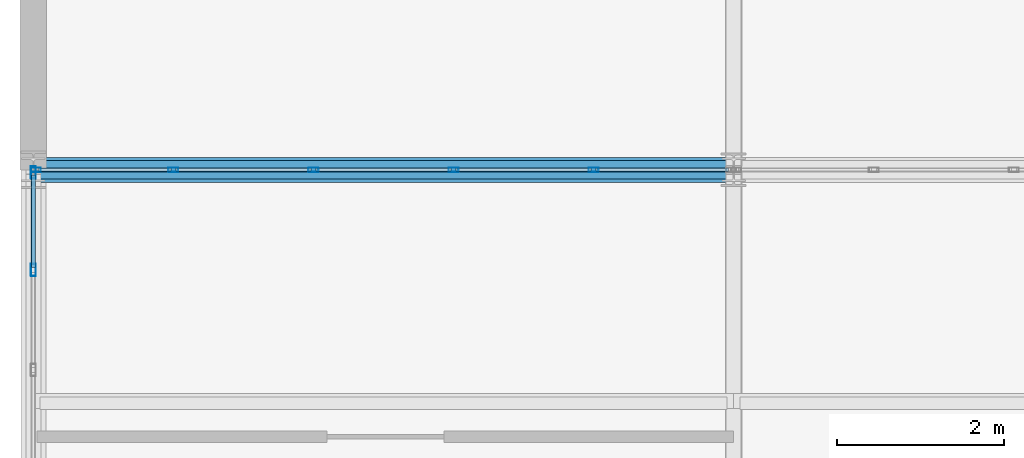
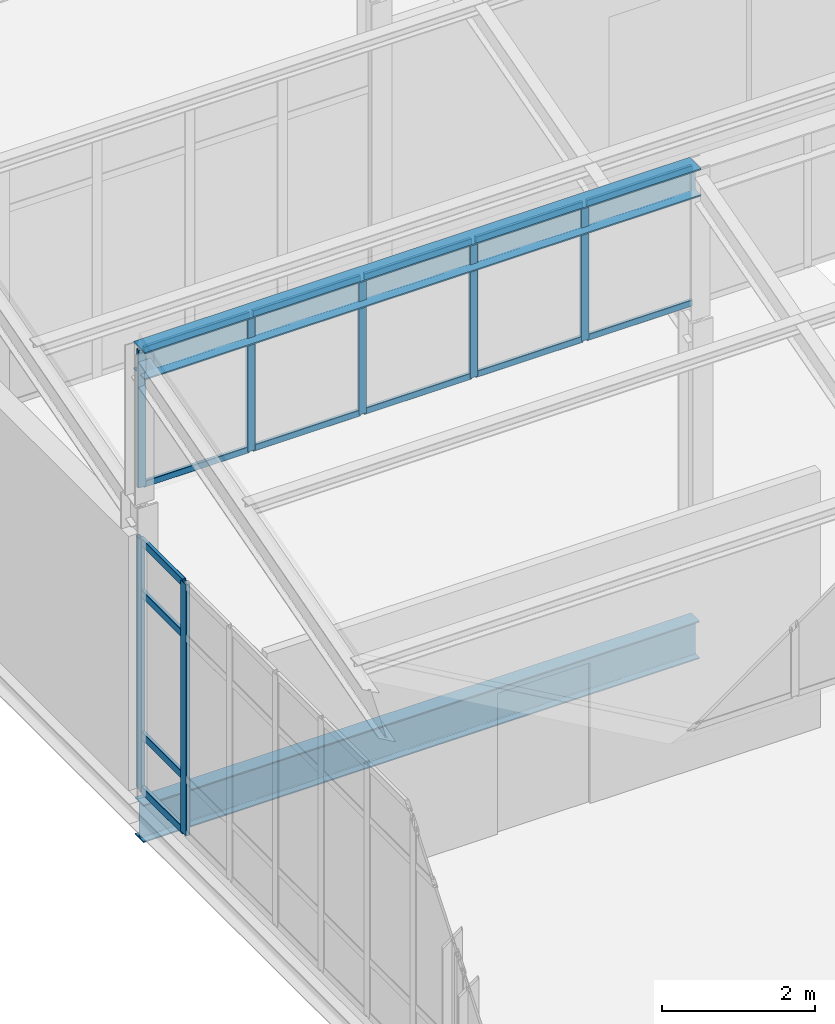
# One storey, part 18 of 53: 21 members, 2 beams, 2 elements without a shape of their own.
"""IFC4 building model written with IfcOpenShell, lengths in metres."""

from ifc_helpers import new_model, si_unit, direction, frame, origin, origin_2d, place, context, subcontext, project, spatial, hollow_rectangle, i_section, extrude, material, layer, layer_set, material_profile, profile_set, type_object, element, aggregate, save


model = new_model("IFC4")

# Units and contexts
model_context = context("Model", 3, precision=1e-05, world=origin(), true_north=direction((0.0, 1.0)))
body_context = subcontext(model_context, "Body", "Model", "MODEL_VIEW")
ifc_project = project(units=[si_unit("LENGTHUNIT", "METRE"), si_unit("AREAUNIT", "SQUARE_METRE"), si_unit("VOLUMEUNIT", "CUBIC_METRE"), si_unit("PLANEANGLEUNIT", "RADIAN"), si_unit("MASSUNIT", "GRAM", prefix="KILO")], contexts=[model_context])

# Site, building, storey
site_placement = place(None, origin())
site = spatial("IfcSite", under=ifc_project, at=site_placement, CompositionType="ELEMENT")
building_placement = place(site_placement, origin())
building = spatial("IfcBuilding", under=site, at=building_placement, Name="Qalvenar Corner Mobility Hub", CompositionType="ELEMENT")
storey_placement = place(building_placement, frame((0.0, 0.0, 26.39990234375)))
storey = spatial("IfcBuildingStorey", under=building, at=storey_placement, Name="L06", CompositionType="ELEMENT", Elevation=26.39990234375)

# Beams
ifc_material_1 = material(Name="Steel S355", Category="steel")
ifc_material_profile_1 = material_profile(ifc_material_1, i_section(OverallWidth=0.300048828125, OverallDepth=0.43994140625, WebThickness=0.011474609375, FlangeThickness=0.02099609375, FilletRadius=0.027099609375, at=origin_2d()), Name="HEA450")
ifc_profile_set_1 = profile_set([ifc_material_profile_1], Name="Steel S355")
beam_type_1 = type_object("IfcBeamType", Name="BM-HEA450", PredefinedType="BEAM", material=ifc_profile_set_1)
beam_1_placement = place(storey_placement, frame((0.0, 25.199951171875, 6.81005859375), z_axis=(1.0, 0.0, 0.0), x_axis=(0.0, 1.0, 0.0)))
element("IfcBeam", 1, at=beam_1_placement, inside=storey, type_object=beam_type_1, Name="Sawtooth Ridge Girder V3RDG-3-1", PredefinedType="BEAM", context=body_context, shape_type="SweptSolid", body=[
    extrude(i_section(OverallWidth=0.300048828125, OverallDepth=0.43994140625, WebThickness=0.011474609375, FlangeThickness=0.02099609375, FilletRadius=0.027099609375, at=origin_2d()), origin(), (0.0, 0.0, 1.0), 8.39990234375),
])
ifc_material_profile_2 = material_profile(ifc_material_1, i_section(OverallWidth=0.219970703125, OverallDepth=0.60009765625, WebThickness=0.011962890625, FlangeThickness=0.01904296875, FilletRadius=0.02392578125, at=origin_2d()), Name="IPE600")
ifc_profile_set_2 = profile_set([ifc_material_profile_2], Name="Steel S355")
beam_type_2 = type_object("IfcBeamType", Name="BM-IPE600", PredefinedType="BEAM", material=ifc_profile_set_2)
beam_2_placement = place(storey_placement, frame((0.0, 25.199951171875, -0.52001953125), z_axis=(1.0, 0.0, 0.0), x_axis=(0.0, 1.0, 0.0)))
element("IfcBeam", 2, at=beam_2_placement, inside=storey, type_object=beam_type_2, Name="Primary Steel Girder GX-3067", PredefinedType="BEAM", context=body_context, shape_type="SweptSolid", body=[
    extrude(i_section(OverallWidth=0.219970703125, OverallDepth=0.60009765625, WebThickness=0.011962890625, FlangeThickness=0.01904296875, FilletRadius=0.02392578125, at=origin_2d()), origin(), (0.0, 0.0, 1.0), 8.39990234375),
])

# Curtain wall, members
ifc_material_2 = material(Name="Anodised Aluminium and Low-E Glazing", Category="aluminium")
ifc_layer_1 = layer(ifc_material_2, 0.1201171875)
ifc_layer_set_1 = layer_set([ifc_layer_1], Name="Anodised Aluminium and Low-E Glazing")
curtain_wall_type_1 = type_object("IfcCurtainWallType", Name="CW-CLR-84X24", PredefinedType="NOTDEFINED", material=ifc_layer_set_1)
curtain_wall_1_placement = place(storey_placement, origin())
curtain_wall_1 = element("IfcCurtainWall", 3, at=curtain_wall_1_placement, inside=storey, type_object=curtain_wall_type_1, Name="Glazed Curtain Wall CW-V3-SAW-3-0", PredefinedType="NOTDEFINED")
ifc_material_3 = material(Name="Anodised Aluminium 6063-T6", Category="aluminium")
ifc_material_profile_3 = material_profile(ifc_material_3, hollow_rectangle(XDim=0.054931640625, YDim=0.1201171875, WallThickness=0.00341796875, InnerFilletRadius=0.00341796875, OuterFilletRadius=0.007080078125, at=origin_2d()), Name="RHS120x55x3.5")
ifc_profile_set_3 = profile_set([ifc_material_profile_3], Name="Anodised Aluminium 6063-T6")
member_type_1 = type_object("IfcMemberType", Name="CW-MUL120", PredefinedType="MULLION", material=ifc_profile_set_3)
member_1_placement = place(storey_placement, frame((6.719970703125, 25.199951171875, 4.800048828125), z_axis=(0.0, 0.0, 1.0), x_axis=(0.0, -1.0, 0.0)))
member_1 = element("IfcMember", 4, at=member_1_placement, type_object=member_type_1, Name="CW-12 mullion 2", PredefinedType="MULLION", context=body_context, shape_type="SweptSolid", body=[
    extrude(hollow_rectangle(XDim=0.054931640625, YDim=0.1201171875, WallThickness=0.00341796875, InnerFilletRadius=0.00341796875, OuterFilletRadius=0.007080078125, at=origin_2d()), origin(), (0.0, 0.0, 1.0), 2.199951171875),
])
member_2_placement = place(storey_placement, frame((5.0400390625, 25.199951171875, 4.800048828125), z_axis=(0.0, 0.0, 1.0), x_axis=(0.0, -1.0, 0.0)))
member_2 = element("IfcMember", 5, at=member_2_placement, type_object=member_type_1, Name="CW-12 mullion 3", PredefinedType="MULLION", context=body_context, shape_type="SweptSolid", body=[
    extrude(hollow_rectangle(XDim=0.054931640625, YDim=0.1201171875, WallThickness=0.00341796875, InnerFilletRadius=0.00341796875, OuterFilletRadius=0.007080078125, at=origin_2d()), origin(), (0.0, 0.0, 1.0), 2.199951171875),
])
member_3_placement = place(storey_placement, frame((3.360107421875, 25.199951171875, 4.800048828125), z_axis=(0.0, 0.0, 1.0), x_axis=(0.0, -1.0, 0.0)))
member_3 = element("IfcMember", 6, at=member_3_placement, type_object=member_type_1, Name="CW-12 mullion 4", PredefinedType="MULLION", context=body_context, shape_type="SweptSolid", body=[
    extrude(hollow_rectangle(XDim=0.054931640625, YDim=0.1201171875, WallThickness=0.00341796875, InnerFilletRadius=0.00341796875, OuterFilletRadius=0.007080078125, at=origin_2d()), origin(), (0.0, 0.0, 1.0), 2.199951171875),
])
member_4_placement = place(storey_placement, frame((1.679931640625, 25.199951171875, 4.800048828125), z_axis=(0.0, 0.0, 1.0), x_axis=(0.0, -1.0, 0.0)))
member_4 = element("IfcMember", 7, at=member_4_placement, type_object=member_type_1, Name="CW-12 mullion 5", PredefinedType="MULLION", context=body_context, shape_type="SweptSolid", body=[
    extrude(hollow_rectangle(XDim=0.054931640625, YDim=0.1201171875, WallThickness=0.00341796875, InnerFilletRadius=0.00341796875, OuterFilletRadius=0.007080078125, at=origin_2d()), origin(), (0.0, 0.0, 1.0), 2.199951171875),
])
member_5_placement = place(storey_placement, frame((0.030029296875, 25.199951171875, 4.800048828125), z_axis=(0.0, 0.0, 1.0), x_axis=(0.0, -1.0, 0.0)))
member_5 = element("IfcMember", 8, at=member_5_placement, type_object=member_type_1, Name="CW-12 mullion 6", PredefinedType="MULLION", context=body_context, shape_type="SweptSolid", body=[
    extrude(hollow_rectangle(XDim=0.054931640625, YDim=0.1201171875, WallThickness=0.00341796875, InnerFilletRadius=0.00341796875, OuterFilletRadius=0.007080078125, at=origin_2d()), origin(), (0.0, 0.0, 1.0), 2.199951171875),
])

ifc_layer_2 = layer(ifc_material_2, 0.14990234375)
ifc_layer_set_2 = layer_set([ifc_layer_2], Name="Anodised Aluminium and Low-E Glazing")
curtain_wall_type_2 = type_object("IfcCurtainWallType", Name="CW-CIV-84X40", PredefinedType="NOTDEFINED", material=ifc_layer_set_2)
curtain_wall_2_placement = place(storey_placement, origin())
curtain_wall_2 = element("IfcCurtainWall", 9, at=curtain_wall_2_placement, inside=storey, type_object=curtain_wall_type_2, Name="Glazed Curtain Wall CW-V3-L06-W2", PredefinedType="NOTDEFINED")
ifc_material_profile_4 = material_profile(ifc_material_3, hollow_rectangle(XDim=0.06005859375, YDim=0.14990234375, WallThickness=0.00390625, InnerFilletRadius=0.00390625, OuterFilletRadius=0.008056640625, at=origin_2d()), Name="RHS150x60x4")
ifc_profile_set_4 = profile_set([ifc_material_profile_4], Name="Anodised Aluminium 6063-T6")
member_type_2 = type_object("IfcMemberType", Name="CW-MUL150", PredefinedType="MULLION", material=ifc_profile_set_4)
member_6_placement = place(storey_placement, frame((0.0, 25.169921875, 0.0), z_axis=(0.0, 0.0, 1.0), x_axis=(1.0, 0.0, 0.0)))
member_6 = element("IfcMember", 10, at=member_6_placement, type_object=member_type_2, Name="CW-05 mullion 1", PredefinedType="MULLION", context=body_context, shape_type="SweptSolid", body=[
    extrude(hollow_rectangle(XDim=0.06005859375, YDim=0.14990234375, WallThickness=0.00390625, InnerFilletRadius=0.00390625, OuterFilletRadius=0.008056640625, at=origin_2d()), origin(), (0.0, 0.0, 1.0), 4.010009765625),
])
member_7_placement = place(storey_placement, frame((0.0, 24.0, 0.0), z_axis=(0.0, 0.0, 1.0), x_axis=(1.0, 0.0, 0.0)))
member_7 = element("IfcMember", 11, at=member_7_placement, type_object=member_type_2, Name="CW-05 mullion 2", PredefinedType="MULLION", context=body_context, shape_type="SweptSolid", body=[
    extrude(hollow_rectangle(XDim=0.06005859375, YDim=0.14990234375, WallThickness=0.00390625, InnerFilletRadius=0.00390625, OuterFilletRadius=0.008056640625, at=origin_2d()), origin(), (0.0, 0.0, 1.0), 4.010009765625),
])

# Member
ifc_material_profile_5 = material_profile(ifc_material_3, hollow_rectangle(XDim=0.050048828125, YDim=0.10009765625, WallThickness=0.0029296875, InnerFilletRadius=0.0029296875, OuterFilletRadius=0.006103515625, at=origin_2d()), Name="RHS100x50x3")
ifc_profile_set_5 = profile_set([ifc_material_profile_5], Name="Anodised Aluminium 6063-T6")
member_type_3 = type_object("IfcMemberType", Name="CW-TRN100", PredefinedType="USERDEFINED", material=ifc_profile_set_5)
member_8_placement = place(storey_placement, frame((8.340087890625, 25.199951171875, 4.82763671875), z_axis=(-1.0, 0.0, 0.0), x_axis=(0.0, -1.0, 0.0)))
member_8 = element("IfcMember", 12, at=member_8_placement, type_object=member_type_3, Name="CW-12 transom 1.1", ObjectType="TRANSOM", PredefinedType="USERDEFINED", context=body_context, shape_type="SweptSolid", body=[
    extrude(hollow_rectangle(XDim=0.050048828125, YDim=0.10009765625, WallThickness=0.0029296875, InnerFilletRadius=0.0029296875, OuterFilletRadius=0.006103515625, at=origin_2d()), origin(), (0.0, 0.0, 1.0), 1.590087890625),
])

member_9_placement = place(storey_placement, frame((8.340087890625, 25.199951171875, 6.97265625), z_axis=(-1.0, 0.0, 0.0), x_axis=(0.0, -1.0, 0.0)))
member_9 = element("IfcMember", 13, at=member_9_placement, type_object=member_type_3, Name="CW-12 transom 1.2", ObjectType="TRANSOM", PredefinedType="USERDEFINED", context=body_context, shape_type="SweptSolid", body=[
    extrude(hollow_rectangle(XDim=0.050048828125, YDim=0.10009765625, WallThickness=0.0029296875, InnerFilletRadius=0.0029296875, OuterFilletRadius=0.006103515625, at=origin_2d()), origin(), (0.0, 0.0, 1.0), 1.590087890625),
])

member_10_placement = place(storey_placement, frame((6.68994140625, 25.199951171875, 4.82763671875), z_axis=(-1.0, 0.0, 0.0), x_axis=(0.0, -1.0, 0.0)))
member_10 = element("IfcMember", 14, at=member_10_placement, type_object=member_type_3, Name="CW-12 transom 2.1", ObjectType="TRANSOM", PredefinedType="USERDEFINED", context=body_context, shape_type="SweptSolid", body=[
    extrude(hollow_rectangle(XDim=0.050048828125, YDim=0.10009765625, WallThickness=0.0029296875, InnerFilletRadius=0.0029296875, OuterFilletRadius=0.006103515625, at=origin_2d()), origin(), (0.0, 0.0, 1.0), 1.619873046875),
])

member_11_placement = place(storey_placement, frame((6.68994140625, 25.199951171875, 6.97265625), z_axis=(-1.0, 0.0, 0.0), x_axis=(0.0, -1.0, 0.0)))
member_11 = element("IfcMember", 15, at=member_11_placement, type_object=member_type_3, Name="CW-12 transom 2.2", ObjectType="TRANSOM", PredefinedType="USERDEFINED", context=body_context, shape_type="SweptSolid", body=[
    extrude(hollow_rectangle(XDim=0.050048828125, YDim=0.10009765625, WallThickness=0.0029296875, InnerFilletRadius=0.0029296875, OuterFilletRadius=0.006103515625, at=origin_2d()), origin(), (0.0, 0.0, 1.0), 1.619873046875),
])

member_12_placement = place(storey_placement, frame((5.010009765625, 25.199951171875, 4.82763671875), z_axis=(-1.0, 0.0, 0.0), x_axis=(0.0, -1.0, 0.0)))
member_12 = element("IfcMember", 16, at=member_12_placement, type_object=member_type_3, Name="CW-12 transom 3.1", ObjectType="TRANSOM", PredefinedType="USERDEFINED", context=body_context, shape_type="SweptSolid", body=[
    extrude(hollow_rectangle(XDim=0.050048828125, YDim=0.10009765625, WallThickness=0.0029296875, InnerFilletRadius=0.0029296875, OuterFilletRadius=0.006103515625, at=origin_2d()), origin(), (0.0, 0.0, 1.0), 1.6201171875),
])

member_13_placement = place(storey_placement, frame((5.010009765625, 25.199951171875, 6.97265625), z_axis=(-1.0, 0.0, 0.0), x_axis=(0.0, -1.0, 0.0)))
member_13 = element("IfcMember", 17, at=member_13_placement, type_object=member_type_3, Name="CW-12 transom 3.2", ObjectType="TRANSOM", PredefinedType="USERDEFINED", context=body_context, shape_type="SweptSolid", body=[
    extrude(hollow_rectangle(XDim=0.050048828125, YDim=0.10009765625, WallThickness=0.0029296875, InnerFilletRadius=0.0029296875, OuterFilletRadius=0.006103515625, at=origin_2d()), origin(), (0.0, 0.0, 1.0), 1.6201171875),
])

member_14_placement = place(storey_placement, frame((3.330078125, 25.199951171875, 4.82763671875), z_axis=(-1.0, 0.0, 0.0), x_axis=(0.0, -1.0, 0.0)))
member_14 = element("IfcMember", 18, at=member_14_placement, type_object=member_type_3, Name="CW-12 transom 4.1", ObjectType="TRANSOM", PredefinedType="USERDEFINED", context=body_context, shape_type="SweptSolid", body=[
    extrude(hollow_rectangle(XDim=0.050048828125, YDim=0.10009765625, WallThickness=0.0029296875, InnerFilletRadius=0.0029296875, OuterFilletRadius=0.006103515625, at=origin_2d()), origin(), (0.0, 0.0, 1.0), 1.6201171875),
])

member_15_placement = place(storey_placement, frame((3.330078125, 25.199951171875, 6.97265625), z_axis=(-1.0, 0.0, 0.0), x_axis=(0.0, -1.0, 0.0)))
member_15 = element("IfcMember", 19, at=member_15_placement, type_object=member_type_3, Name="CW-12 transom 4.2", ObjectType="TRANSOM", PredefinedType="USERDEFINED", context=body_context, shape_type="SweptSolid", body=[
    extrude(hollow_rectangle(XDim=0.050048828125, YDim=0.10009765625, WallThickness=0.0029296875, InnerFilletRadius=0.0029296875, OuterFilletRadius=0.006103515625, at=origin_2d()), origin(), (0.0, 0.0, 1.0), 1.6201171875),
])

member_16_placement = place(storey_placement, frame((1.64990234375, 25.199951171875, 4.82763671875), z_axis=(-1.0, 0.0, 0.0), x_axis=(0.0, -1.0, 0.0)))
member_16 = element("IfcMember", 20, at=member_16_placement, type_object=member_type_3, Name="CW-12 transom 5.1", ObjectType="TRANSOM", PredefinedType="USERDEFINED", context=body_context, shape_type="SweptSolid", body=[
    extrude(hollow_rectangle(XDim=0.050048828125, YDim=0.10009765625, WallThickness=0.0029296875, InnerFilletRadius=0.0029296875, OuterFilletRadius=0.006103515625, at=origin_2d()), origin(), (0.0, 0.0, 1.0), 1.58984375),
])

member_17_placement = place(storey_placement, frame((1.64990234375, 25.199951171875, 6.97265625), z_axis=(-1.0, 0.0, 0.0), x_axis=(0.0, -1.0, 0.0)))
member_17 = element("IfcMember", 21, at=member_17_placement, type_object=member_type_3, Name="CW-12 transom 5.2", ObjectType="TRANSOM", PredefinedType="USERDEFINED", context=body_context, shape_type="SweptSolid", body=[
    extrude(hollow_rectangle(XDim=0.050048828125, YDim=0.10009765625, WallThickness=0.0029296875, InnerFilletRadius=0.0029296875, OuterFilletRadius=0.006103515625, at=origin_2d()), origin(), (0.0, 0.0, 1.0), 1.58984375),
])

aggregate(curtain_wall_1, [member_1, member_2, member_3, member_4, member_5, member_8, member_9, member_10, member_11, member_12, member_13, member_14, member_15, member_16, member_17])

ifc_material_profile_6 = material_profile(ifc_material_3, hollow_rectangle(XDim=0.054931640625, YDim=0.1201171875, WallThickness=0.00341796875, InnerFilletRadius=0.00341796875, OuterFilletRadius=0.007080078125, at=origin_2d()), Name="RHS120x55x3.5")
ifc_profile_set_6 = profile_set([ifc_material_profile_6], Name="Anodised Aluminium 6063-T6")
member_type_4 = type_object("IfcMemberType", Name="CW-TRN120", PredefinedType="USERDEFINED", material=ifc_profile_set_6)
member_18_placement = place(storey_placement, frame((0.0, 25.139892578125, 0.027587890625), z_axis=(0.0, -1.0, 0.0), x_axis=(1.0, 0.0, 0.0)))
member_18 = element("IfcMember", 22, at=member_18_placement, type_object=member_type_4, Name="CW-05 transom 1.1", ObjectType="TRANSOM", PredefinedType="USERDEFINED", context=body_context, shape_type="SweptSolid", body=[
    extrude(hollow_rectangle(XDim=0.054931640625, YDim=0.1201171875, WallThickness=0.00341796875, InnerFilletRadius=0.00341796875, OuterFilletRadius=0.007080078125, at=origin_2d()), origin(), (0.0, 0.0, 1.0), 1.10986328125),
])

member_19_placement = place(storey_placement, frame((0.0, 25.139892578125, 0.900146484375), z_axis=(0.0, -1.0, 0.0), x_axis=(1.0, 0.0, 0.0)))
member_19 = element("IfcMember", 23, at=member_19_placement, type_object=member_type_4, Name="CW-05 transom 1.2", ObjectType="TRANSOM", PredefinedType="USERDEFINED", context=body_context, shape_type="SweptSolid", body=[
    extrude(hollow_rectangle(XDim=0.054931640625, YDim=0.1201171875, WallThickness=0.00341796875, InnerFilletRadius=0.00341796875, OuterFilletRadius=0.007080078125, at=origin_2d()), origin(), (0.0, 0.0, 1.0), 1.10986328125),
])

member_20_placement = place(storey_placement, frame((0.0, 25.139892578125, 3.16015625), z_axis=(0.0, -1.0, 0.0), x_axis=(1.0, 0.0, 0.0)))
member_20 = element("IfcMember", 24, at=member_20_placement, type_object=member_type_4, Name="CW-05 transom 1.3", ObjectType="TRANSOM", PredefinedType="USERDEFINED", context=body_context, shape_type="SweptSolid", body=[
    extrude(hollow_rectangle(XDim=0.054931640625, YDim=0.1201171875, WallThickness=0.00341796875, InnerFilletRadius=0.00341796875, OuterFilletRadius=0.007080078125, at=origin_2d()), origin(), (0.0, 0.0, 1.0), 1.10986328125),
])

member_21_placement = place(storey_placement, frame((0.0, 25.139892578125, 3.982666015625), z_axis=(0.0, -1.0, 0.0), x_axis=(1.0, 0.0, 0.0)))
member_21 = element("IfcMember", 25, at=member_21_placement, type_object=member_type_4, Name="CW-05 transom 1.4", ObjectType="TRANSOM", PredefinedType="USERDEFINED", context=body_context, shape_type="SweptSolid", body=[
    extrude(hollow_rectangle(XDim=0.054931640625, YDim=0.1201171875, WallThickness=0.00341796875, InnerFilletRadius=0.00341796875, OuterFilletRadius=0.007080078125, at=origin_2d()), origin(), (0.0, 0.0, 1.0), 1.10986328125),
])

aggregate(curtain_wall_2, [member_6, member_7, member_18, member_19, member_20, member_21])

save(model, "model.ifc")
